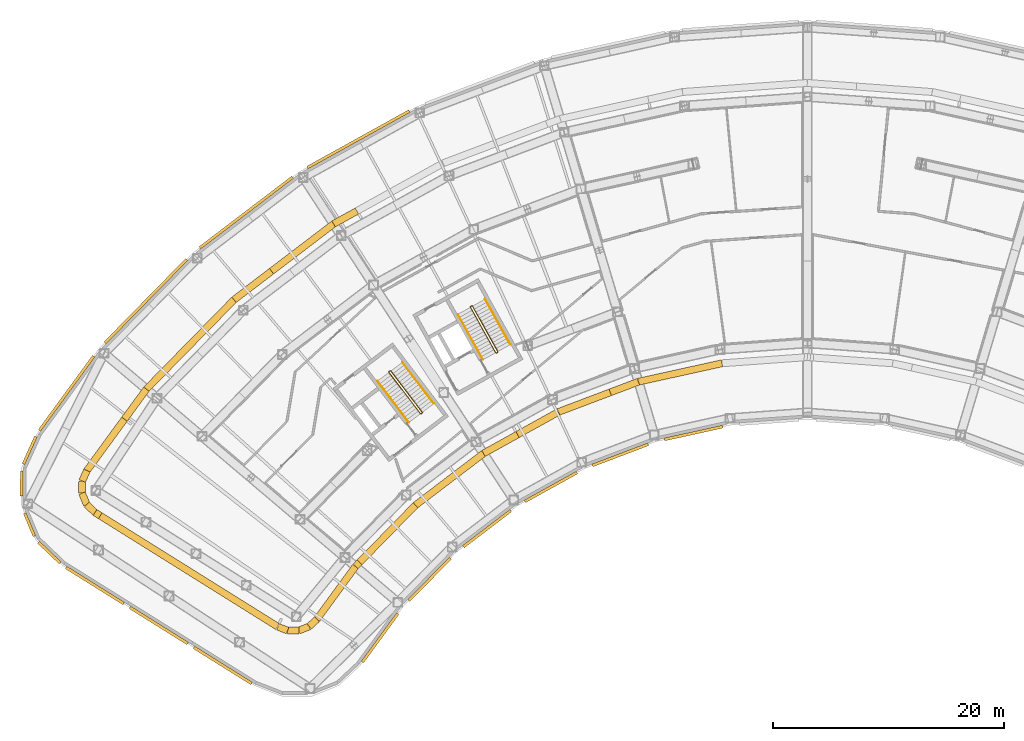
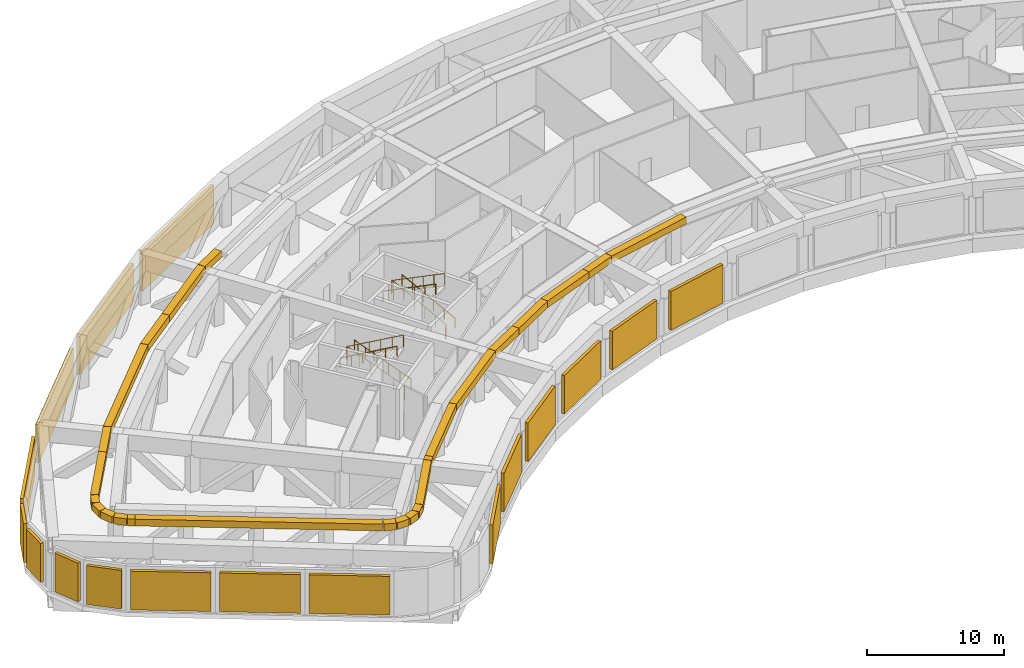
# One storey, part 27 of 30: 25 coverings, 17 shading devices, 6 railings.
"""IFC4 building model written with IfcOpenShell, lengths in metres."""

import ifcopenshell
import ifcopenshell.guid

model = None  # the IFC model being written
_history = None  # IfcOwnerHistory: only IFC2X3 demands one
_inside = {}  # id of a spatial element -> (the spatial element, [elements in it])
_under = {}  # id of a project, library or spatial element -> (it, [spatial elements below it])
_declared = {}  # id of a project -> (the project, [libraries it declares])
_typed = {}  # id of a type object -> (the type object, [elements of that type])
_made_of = {}  # id of a material, layer set ... -> (it, [elements and type objects made of it])


def new_model(schema):
    """Start an empty IFC model of exactly this schema.

    Asked for "IFC4X3", IfcOpenShell would pick the latest addendum, in which some entities
    have other attributes; the version numbers below select the first issue.
    IFC2X3 requires an IfcOwnerHistory on every rooted entity: one is made here for all.
    """
    global model, _history
    if schema == "IFC4X3":
        model = ifcopenshell.file(schema_version=(4, 3, 0, 0))
    else:
        model = ifcopenshell.file(schema=schema)
    _inside.clear()
    _under.clear()
    _declared.clear()
    _typed.clear()
    _made_of.clear()
    _history = None
    if model.schema == "IFC2X3":
        org = make("IfcOrganization", Name="unknown")
        user = make(
            "IfcPersonAndOrganization",
            ThePerson=make("IfcPerson", FamilyName="unknown"),
            TheOrganization=org,
        )
        app = make(
            "IfcApplication",
            ApplicationDeveloper=org,
            Version="unknown",
            ApplicationFullName="unknown",
            ApplicationIdentifier="unknown",
        )
        _history = make(
            "IfcOwnerHistory",
            OwningUser=user,
            OwningApplication=app,
            ChangeAction="ADDED",
            CreationDate=0,
        )
    return model


def make(cls, **values):
    """One entity of the class cls with the attributes given. An attribute that is None is left unset."""
    return model.create_entity(
        cls, **{name: value for name, value in values.items() if value is not None}
    )


def rooted(cls, **values):
    """An entity with a GlobalId (a new one), such as an element, a storey or a relation."""
    return make(cls, GlobalId=ifcopenshell.guid.new(), OwnerHistory=_history, **values)


def si_unit(unit_type, name, prefix=None):
    """IfcSIUnit, for example si_unit("LENGTHUNIT", "METRE", prefix="MILLI")."""
    return make("IfcSIUnit", UnitType=unit_type, Prefix=prefix, Name=name)


def assignment(units):
    """IfcUnitAssignment: the units of a project."""
    return None if units is None else make("IfcUnitAssignment", Units=units)


def point(xyz):
    """IfcCartesianPoint."""
    return None if xyz is None else make("IfcCartesianPoint", Coordinates=xyz)


def direction(xyz):
    """IfcDirection."""
    return None if xyz is None else make("IfcDirection", DirectionRatios=xyz)


def frame(location, z_axis=None, x_axis=None):
    """IfcAxis2Placement3D, a coordinate frame: its origin and axes. An axis left out is left unset."""
    return make(
        "IfcAxis2Placement3D",
        Location=point(location),
        Axis=direction(z_axis),
        RefDirection=direction(x_axis),
    )


def frame_2d(location, x_axis=None):
    """IfcAxis2Placement2D, a coordinate frame in the plane: its origin and x axis."""
    return make(
        "IfcAxis2Placement2D", Location=point(location), RefDirection=direction(x_axis)
    )


def origin():
    """The frame at (0, 0, 0) with its axes left unset."""
    return frame((0.0, 0.0, 0.0))


def origin_2d():
    """The frame at (0, 0) in the plane with its x axis left unset."""
    return frame_2d((0.0, 0.0))


def place(relative_to, where):
    """IfcLocalPlacement: puts the frame where relative to a parent placement (None: the world)."""
    return make(
        "IfcLocalPlacement", PlacementRelTo=relative_to, RelativePlacement=where
    )


def context(
    kind, dimensions, precision=None, world=None, true_north=None, identifier=None
):
    """IfcGeometricRepresentationContext, for example the 3D "Model" context."""
    return make(
        "IfcGeometricRepresentationContext",
        ContextIdentifier=identifier,
        ContextType=kind,
        CoordinateSpaceDimension=dimensions,
        Precision=precision,
        WorldCoordinateSystem=world,
        TrueNorth=true_north,
    )


def subcontext(parent, identifier, kind, view, scale=None):
    """IfcGeometricRepresentationSubContext, for example "Body" below "Model"."""
    return make(
        "IfcGeometricRepresentationSubContext",
        ContextIdentifier=identifier,
        ContextType=kind,
        ParentContext=parent,
        TargetScale=scale,
        TargetView=view,
    )


def project(units=None, contexts=None):
    """IfcProject with its units and contexts."""
    return rooted(
        "IfcProject",
        Name="project",
        RepresentationContexts=contexts,
        UnitsInContext=assignment(units),
    )


def spatial(cls, under=None, at=None, **own):
    """A site, building, storey or space (cls), placed at a placement, below another one or the project."""
    s = rooted(cls, ObjectPlacement=at, **own)
    if under is not None:
        _under.setdefault(under.id(), (under, []))[1].append(s)
    return s


def profile(cls, at=None, kind="AREA", **sizes):
    """A parametric profile (cls). Its sizes go by their IFC names, for example OverallWidth=200.0."""
    return make(cls, ProfileType=kind, Position=at, **sizes)


def rectangle(**sizes):
    """IfcRectangleProfileDef."""
    return profile("IfcRectangleProfileDef", **sizes)


def circle(**sizes):
    """IfcCircleProfileDef."""
    return profile("IfcCircleProfileDef", **sizes)


def extrude(swept, where, along, depth):
    """IfcExtrudedAreaSolid: the profile swept, set in the frame where, extruded along a direction by depth."""
    return make(
        "IfcExtrudedAreaSolid",
        SweptArea=swept,
        Position=where,
        ExtrudedDirection=direction(along),
        Depth=depth,
    )


def shape(context_of_items, identifier, shape_type, items):
    """IfcShapeRepresentation: the items that make up one representation, for example the "Body"."""
    return make(
        "IfcShapeRepresentation",
        ContextOfItems=context_of_items,
        RepresentationIdentifier=identifier,
        RepresentationType=shape_type,
        Items=items,
    )


def material(Name=None, Category=None):
    """IfcMaterial."""
    return make("IfcMaterial", Name=Name, Category=Category)


def material_profile(
    of_material, cross_section, Name=None, Category=None, Priority=None
):
    """IfcMaterialProfile: a cross section and its material."""
    return make(
        "IfcMaterialProfile",
        Name=Name,
        Material=of_material,
        Profile=cross_section,
        Priority=Priority,
        Category=Category,
    )


def profile_set(profiles, Name=None, composite=None):
    """IfcMaterialProfileSet."""
    return make(
        "IfcMaterialProfileSet",
        Name=Name,
        MaterialProfiles=profiles,
        CompositeProfile=composite,
    )


def made_of(thing, what):
    """Note that an element or type object is made of a material, layer set ...; save() writes the relation."""
    if what is not None:
        _made_of.setdefault(what.id(), (what, []))[1].append(thing)
    return thing


def type_object(cls, material=None, **own):
    """A type object (cls), such as IfcWallType, which elements share."""
    return made_of(rooted(cls, **own), material)


def element(
    cls,
    number,
    at=None,
    inside=None,
    cuts=None,
    type_object=None,
    material=None,
    context=None,
    identifier="Body",
    shape_type=None,
    held_by="IfcProductDefinitionShape",
    body=None,
    shapes=None,
    **own,
):
    """One element of the class cls, such as IfcWall. Its Tag is "e" and its number.

    at: its placement. inside: the storey or other place that contains it. cuts: it is an
    opening in that element (IfcRelVoidsElement). A single representation is given by context,
    identifier, shape_type and body (its items); several are given by shapes. held_by: the class
    of the entity that holds the representations. save() writes the other relations.
    """
    e = rooted(cls, Tag="e%d" % number, ObjectPlacement=at, **own)
    if body is not None:
        shapes = [shape(context, identifier, shape_type, body)]
    if shapes is not None:
        e.Representation = make(held_by, Representations=shapes)
    if inside is not None:
        _inside.setdefault(inside.id(), (inside, []))[1].append(e)
    if cuts is not None:
        rooted(
            "IfcRelVoidsElement", RelatingBuildingElement=cuts, RelatedOpeningElement=e
        )
    if type_object is not None:
        _typed.setdefault(type_object.id(), (type_object, []))[1].append(e)
    return made_of(e, material)


def aggregate(whole, parts):
    """IfcRelAggregates: a whole, such as a stair, and the parts it consists of."""
    return rooted("IfcRelAggregates", RelatingObject=whole, RelatedObjects=parts)


def save(model, path):
    """Write the relations noted so far, then the file.

    IfcRelAggregates (storeys below a building ...), IfcRelContainedInSpatialStructure (elements
    in a storey), IfcRelDefinesByType, IfcRelAssociatesMaterial and IfcRelDeclares: one each for
    every whole, place, type object, material and project.
    """
    for whole, parts in _under.values():
        aggregate(whole, parts)
    for where, things in _inside.values():
        rooted(
            "IfcRelContainedInSpatialStructure",
            RelatedElements=things,
            RelatingStructure=where,
        )
    for kind, things in _typed.values():
        rooted("IfcRelDefinesByType", RelatedObjects=things, RelatingType=kind)
    for what, things in _made_of.values():
        rooted("IfcRelAssociatesMaterial", RelatedObjects=things, RelatingMaterial=what)
    for by, libraries in _declared.values():
        rooted("IfcRelDeclares", RelatingContext=by, RelatedDefinitions=libraries)
    model.write(path)


model = new_model("IFC4")

# Units and contexts
model_context = context("Model", 3, precision=1e-05, world=origin(), true_north=direction((0.0, 1.0)))
body_context = subcontext(model_context, "Body", "Model", "MODEL_VIEW")
ifc_project = project(units=[si_unit("LENGTHUNIT", "METRE"), si_unit("AREAUNIT", "SQUARE_METRE"), si_unit("VOLUMEUNIT", "CUBIC_METRE"), si_unit("PLANEANGLEUNIT", "RADIAN"), si_unit("MASSUNIT", "GRAM", prefix="KILO")], contexts=[model_context])

# Site, building, storey
site_placement = place(None, origin())
site = spatial("IfcSite", under=ifc_project, at=site_placement, CompositionType="ELEMENT")
building_placement = place(site_placement, origin())
building = spatial("IfcBuilding", under=site, at=building_placement, Name="Tuul Gate Civic Tower", CompositionType="ELEMENT")
storey_placement = place(building_placement, frame((0.0, 0.0, 26.699951171875)))
storey = spatial("IfcBuildingStorey", under=building, at=storey_placement, Name="Plant and refuge floor 1", CompositionType="ELEMENT", Elevation=26.699951171875)

# Shading devices
ifc_material_1 = material(Name="Aluminium louvre", Category="aluminium")
shading_device_type = type_object("IfcShadingDeviceType", Name="Louvre panel", PredefinedType="USERDEFINED", material=ifc_material_1)
for number, where, z_axis, x_axis, name in (
    (1, (-38.920654296875, 10.21484375, 0.30029296875), (0.0, 0.0, 1.0), (-0.484772548087, 0.874640255546, 0.0), "Louvre panel"),
    (2, (-48.63330078125, 3.873046875, 0.30029296875), (0.0, 0.0, 1.0), (-0.605812275607, 0.795607621082, 0.0), "Louvre panel"),
    (3, (-57.330322265625, -3.802490234375, 0.30029296875), (0.0, 0.0, 1.0), (-0.714133617381, 0.700009411741, 0.0), "Louvre panel"),
):
    element("IfcShadingDevice", number, at=place(storey_placement, frame(where, z_axis=z_axis, x_axis=x_axis)), inside=storey, type_object=shading_device_type, Name=name, ObjectType="LOUVRE", PredefinedType="USERDEFINED", context=body_context, shape_type="SweptSolid", body=[
        extrude(rectangle(XDim=0.25, YDim=10.10009765625, at=origin_2d()), origin(), (0.0, 0.0, 1.0), 3.449951171875),
    ])
shading_device_1_placement = place(storey_placement, frame((-64.2041015625, -11.79296875, 0.30029296875), z_axis=(0.0, 0.0, 1.0), x_axis=(-0.807504635584, 0.589861223943, 0.0)))
element("IfcShadingDevice", 4, at=shading_device_1_placement, inside=storey, type_object=shading_device_type, Name="Louvre panel", ObjectType="LOUVRE", PredefinedType="USERDEFINED", context=body_context, shape_type="SweptSolid", body=[
    extrude(rectangle(XDim=0.25, YDim=7.949951171875, at=origin_2d()), origin(), (0.0, 0.0, 1.0), 3.449951171875),
])
shading_device_2_placement = place(storey_placement, frame((-67.410400390625, -16.740966796875, 0.30029296875), z_axis=(0.0, 0.0, 1.0), x_axis=(-0.910943109135, 0.412532001086, 0.0)))
element("IfcShadingDevice", 5, at=shading_device_2_placement, inside=storey, type_object=shading_device_type, Name="Louvre panel", ObjectType="LOUVRE", PredefinedType="USERDEFINED", context=body_context, shape_type="SweptSolid", body=[
    extrude(rectangle(XDim=0.25, YDim=2.60009765625, at=origin_2d()), origin(), (0.0, 0.0, 1.0), 3.449951171875),
])
for number, where, z_axis, x_axis, name in (
    (6, (-68.102294921875, -19.625244140625, 0.30029296875), (0.0, 0.0, 1.0), (-0.999892290777, 0.014676745048, 0.0), "Louvre panel"),
    (7, (-67.4150390625, -23.185791015625, 0.30029296875), (0.0, 0.0, 1.0), (-0.92261423474, -0.385723960696, 0.0), "Louvre panel"),
):
    element("IfcShadingDevice", number, at=place(storey_placement, frame(where, z_axis=z_axis, x_axis=x_axis)), inside=storey, type_object=shading_device_type, Name=name, ObjectType="LOUVRE", PredefinedType="USERDEFINED", context=body_context, shape_type="SweptSolid", body=[
        extrude(rectangle(XDim=0.25, YDim=2.14990234375, at=origin_2d()), origin(), (0.0, 0.0, 1.0), 3.449951171875),
    ])
shading_device_3_placement = place(storey_placement, frame((-65.698974609375, -25.604248046875, 0.30029296875), z_axis=(0.0, 0.0, 1.0), x_axis=(-0.69147788564, -0.722397628506, 0.0)))
element("IfcShadingDevice", 8, at=shading_device_3_placement, inside=storey, type_object=shading_device_type, Name="Louvre panel", ObjectType="LOUVRE", PredefinedType="USERDEFINED", context=body_context, shape_type="SweptSolid", body=[
    extrude(rectangle(XDim=0.25, YDim=2.60009765625, at=origin_2d()), origin(), (0.0, 0.0, 1.0), 3.449951171875),
])
for number, where, z_axis, x_axis, name in (
    (9, (-61.753662109375, -28.457275390625, 0.30029296875), (0.0, 0.0, 1.0), (-0.529943874358, -0.848032717547, 0.0), "Louvre panel"),
    (10, (-56.21630859375, -31.91748046875, 0.30029296875), (0.0, 0.0, 1.0), (-0.529943874358, -0.848032717547, 0.0), "Louvre panel"),
    (11, (-50.678955078125, -35.3779296875, 0.30029296875), (0.0, 0.0, 1.0), (-0.529943874358, -0.848032717547, 0.0), "Louvre panel"),
):
    element("IfcShadingDevice", number, at=place(storey_placement, frame(where, z_axis=z_axis, x_axis=x_axis)), inside=storey, type_object=shading_device_type, Name=name, ObjectType="LOUVRE", PredefinedType="USERDEFINED", context=body_context, shape_type="SweptSolid", body=[
        extrude(rectangle(XDim=0.25, YDim=5.89990234375, at=origin_2d()), origin(), (0.0, 0.0, 1.0), 3.449951171875),
    ])
shading_device_4_placement = place(storey_placement, frame((-37.0263671875, -32.990966796875, 0.30029296875), z_axis=(0.0, 0.0, 1.0), x_axis=(0.807581267597, -0.589756302404, 0.0)))
element("IfcShadingDevice", 12, at=shading_device_4_placement, inside=storey, type_object=shading_device_type, Name="Louvre panel", ObjectType="LOUVRE", PredefinedType="USERDEFINED", context=body_context, shape_type="SweptSolid", body=[
    extrude(rectangle(XDim=0.25, YDim=5.199951171875, at=origin_2d()), origin(), (0.0, 0.0, 1.0), 3.449951171875),
])
for number, where, z_axis, x_axis, name in (
    (13, (-32.728759765625, -27.91748046875, 0.30029296875), (0.0, 0.0, 1.0), (0.714131733701, -0.700011333423, 0.0), "Louvre panel"),
    (14, (-27.763671875, -23.535888671875, 0.30029296875), (0.0, 0.0, 1.0), (0.605776174218, -0.795635109048, 0.0), "Louvre panel"),
    (15, (-22.218994140625, -19.915771484375, 0.30029296875), (0.0, 0.0, 1.0), (0.484724404523, -0.87466693756, 0.0), "Louvre panel"),
    (16, (-16.210205078125, -17.13232421875, 0.30029296875), (0.0, 0.0, 1.0), (0.353739389433, -0.935344024605, 0.0), "Louvre panel"),
    (17, (-9.863525390625, -15.24365234375, 0.30029296875), (0.0, 0.0, 1.0), (0.215260087551, -0.976556754473, 0.0), "Louvre panel"),
):
    element("IfcShadingDevice", number, at=place(storey_placement, frame(where, z_axis=z_axis, x_axis=x_axis)), inside=storey, type_object=shading_device_type, Name=name, ObjectType="LOUVRE", PredefinedType="USERDEFINED", context=body_context, shape_type="SweptSolid", body=[
        extrude(rectangle(XDim=0.25, YDim=5.14990234375, at=origin_2d()), origin(), (0.0, 0.0, 1.0), 3.449951171875),
    ])

# Railings
ifc_material_2 = material(Name="Painted steel", Category="steel")
railing_type_1 = type_object("IfcRailingType", Name="Stair guard", PredefinedType="GUARDRAIL", material=ifc_material_2)
railing_1_placement = place(storey_placement, frame((-33.382080078125, -13.515380859375, 0.0)))
element("IfcRailing", 18, at=railing_1_placement, inside=storey, type_object=railing_type_1, Name="Plant and refuge floor 1 ST-1 stair guard 1", PredefinedType="GUARDRAIL", context=body_context, shape_type="SweptSolid", body=[
    extrude(circle(Radius=0.02392578125, at=origin_2d()), frame((0.0, 0.0, 1.076171875), z_axis=(-0.795879841968, -0.605454603706, 0.0), x_axis=(0.605454603706, -0.795879841968, 0.0)), (0.0, 0.0, 1.0), 0.10009765625),
    extrude(circle(Radius=0.02392578125, at=origin_2d()), frame((-0.07958984375, -0.060546875, 1.076171875), z_axis=(0.408676696321, 0.599019267211, 0.688592241747), x_axis=(-0.826063974707, 0.563576356576, 0.0)), (0.0, 0.0, 1.0), 0.218017578125),
    extrude(circle(Radius=0.02392578125, at=origin_2d()), frame((0.009521484375, 0.070068359375, 1.22607421875), z_axis=(-0.541802573537, 0.711646640476, 0.44722369169), x_axis=(-0.795649622695, -0.605757111312, 0.0)), (0.0, 0.0, 1.0), 5.031005859375),
    extrude(circle(Radius=0.02392578125, at=origin_2d()), frame((-2.71630859375, 3.650390625, 3.47607421875), z_axis=(-0.990893089246, 0.134650977284, 0.0), x_axis=(-0.134650977284, -0.990893089246, 0.0)), (0.0, 0.0, 1.0), 0.07080078125),
    extrude(circle(Radius=0.02392578125, at=origin_2d()), frame((-2.786376953125, 3.659912109375, 3.47607421875), z_axis=(-0.795879841968, -0.605454603706, 0.0), x_axis=(0.605454603706, -0.795879841968, 0.0)), (0.0, 0.0, 1.0), 0.10009765625),
    extrude(circle(Radius=0.02392578125, at=origin_2d()), frame((-2.865966796875, 3.599365234375, 3.47607421875), z_axis=(-0.057447065493, -0.422751481959, 0.904423031091), x_axis=(0.990893089246, -0.134650977284, 0.0)), (0.0, 0.0, 1.0), 0.165771484375),
    extrude(circle(Radius=0.02392578125, at=origin_2d()), frame((-2.87548828125, 3.529296875, 3.6259765625), z_axis=(0.541802573537, -0.711646640476, 0.44722369169), x_axis=(0.795649622695, 0.605757111312, 0.0)), (0.0, 0.0, 1.0), 5.031005859375),
    extrude(circle(Radius=0.02099609375, at=origin_2d()), origin(), (0.0, 0.0, 1.0), 1.052001953125),
    extrude(circle(Radius=0.02099609375, at=origin_2d()), frame((-0.07958984375, -0.060546875, 0.0)), (0.0, 0.0, 1.0), 1.052001953125),
    extrude(circle(Radius=0.02099609375, at=origin_2d()), frame((0.009521484375, 0.070068359375, 0.150146484375)), (0.0, 0.0, 1.0), 1.052001953125),
    extrude(circle(Radius=0.02099609375, at=origin_2d()), frame((-0.53564453125, 0.7861328125, 0.60009765625)), (0.0, 0.0, 1.0), 1.052001953125),
    extrude(circle(Radius=0.02099609375, at=origin_2d()), frame((-1.080810546875, 1.502197265625, 1.050048828125)), (0.0, 0.0, 1.0), 1.052001953125),
    extrude(circle(Radius=0.02099609375, at=origin_2d()), frame((-1.6259765625, 2.21826171875, 1.500244140625)), (0.0, 0.0, 1.0), 1.052001953125),
    extrude(circle(Radius=0.02099609375, at=origin_2d()), frame((-2.171142578125, 2.934326171875, 1.9501953125)), (0.0, 0.0, 1.0), 1.052001953125),
    extrude(circle(Radius=0.02099609375, at=origin_2d()), frame((-2.71630859375, 3.650390625, 2.400146484375)), (0.0, 0.0, 1.0), 1.052001953125),
    extrude(circle(Radius=0.02099609375, at=origin_2d()), frame((-2.786376953125, 3.659912109375, 2.400146484375)), (0.0, 0.0, 1.0), 1.052001953125),
    extrude(circle(Radius=0.02099609375, at=origin_2d()), frame((-2.865966796875, 3.599365234375, 2.400146484375)), (0.0, 0.0, 1.0), 1.052001953125),
    extrude(circle(Radius=0.02099609375, at=origin_2d()), frame((-2.87548828125, 3.529296875, 2.550048828125)), (0.0, 0.0, 1.0), 1.052001953125),
    extrude(circle(Radius=0.02099609375, at=origin_2d()), frame((-2.330322265625, 2.813232421875, 3.0)), (0.0, 0.0, 1.0), 1.052001953125),
    extrude(circle(Radius=0.02099609375, at=origin_2d()), frame((-1.78515625, 2.09716796875, 3.449951171875)), (0.0, 0.0, 1.0), 1.052001953125),
    extrude(circle(Radius=0.02099609375, at=origin_2d()), frame((-1.239990234375, 1.381103515625, 3.900146484375)), (0.0, 0.0, 1.0), 1.052001953125),
    extrude(circle(Radius=0.02099609375, at=origin_2d()), frame((-0.69482421875, 0.6650390625, 4.35009765625)), (0.0, 0.0, 1.0), 1.052001953125),
    extrude(circle(Radius=0.02099609375, at=origin_2d()), frame((-0.149658203125, -0.051025390625, 4.800048828125)), (0.0, 0.0, 1.0), 1.052001953125),
])
railing_2_placement = place(storey_placement, frame((-26.857666015625, -8.247314453125, 0.0)))
element("IfcRailing", 19, at=railing_2_placement, inside=storey, type_object=railing_type_1, Name="Plant and refuge floor 1 ST-2 stair guard 1", PredefinedType="GUARDRAIL", context=body_context, shape_type="SweptSolid", body=[
    extrude(circle(Radius=0.02392578125, at=origin_2d()), frame((0.0, 0.0, 1.076171875), z_axis=(-0.874616555828, -0.48481530532, 0.0), x_axis=(0.48481530532, -0.874616555828, 0.0)), (0.0, 0.0, 1.0), 0.10009765625),
    extrude(circle(Radius=0.02392578125, at=origin_2d()), frame((-0.087646484375, -0.048583984375, 1.076171875), z_axis=(0.490435707169, 0.534104639999, 0.688625479244), x_axis=(-0.736576986774, 0.676353711126, 0.0)), (0.0, 0.0, 1.0), 0.218017578125),
    extrude(circle(Radius=0.02392578125, at=origin_2d()), frame((0.019287109375, 0.06787109375, 1.22607421875), z_axis=(-0.433570456934, 0.782319295656, 0.447205968786), x_axis=(-0.874655833576, -0.484744440702, 0.0)), (0.0, 0.0, 1.0), 5.03125),
    extrude(circle(Radius=0.02392578125, at=origin_2d()), frame((-2.162109375, 4.00390625, 3.47607421875), z_axis=(-0.961914682459, 0.273349855807, 0.0), x_axis=(-0.273349855807, -0.961914682459, 0.0)), (0.0, 0.0, 1.0), 0.070556640625),
    extrude(circle(Radius=0.02392578125, at=origin_2d()), frame((-2.22998046875, 4.023193359375, 3.47607421875), z_axis=(-0.875078096442, -0.48398174049, 0.0), x_axis=(0.48398174049, -0.875078096442, 0.0)), (0.0, 0.0, 1.0), 0.099853515625),
    extrude(circle(Radius=0.02392578125, at=origin_2d()), frame((-2.3173828125, 3.974853515625, 3.47607421875), z_axis=(-0.117795287813, -0.410811066247, 0.904078833962), x_axis=(0.961263487578, -0.275631107549, 0.0)), (0.0, 0.0, 1.0), 0.165771484375),
    extrude(circle(Radius=0.02392578125, at=origin_2d()), frame((-2.3369140625, 3.90673828125, 3.6259765625), z_axis=(0.433586916566, -0.782300468042, 0.447222946062), x_axis=(0.874643084613, 0.48476744377, 0.0)), (0.0, 0.0, 1.0), 5.031005859375),
    extrude(circle(Radius=0.02099609375, at=origin_2d()), origin(), (0.0, 0.0, 1.0), 1.052001953125),
    extrude(circle(Radius=0.02099609375, at=origin_2d()), frame((-0.087646484375, -0.048583984375, 0.0)), (0.0, 0.0, 1.0), 1.052001953125),
    extrude(circle(Radius=0.02099609375, at=origin_2d()), frame((0.019287109375, 0.06787109375, 0.150146484375)), (0.0, 0.0, 1.0), 1.052001953125),
    extrude(circle(Radius=0.02099609375, at=origin_2d()), frame((-0.4169921875, 0.85498046875, 0.60009765625)), (0.0, 0.0, 1.0), 1.052001953125),
    extrude(circle(Radius=0.02099609375, at=origin_2d()), frame((-0.853271484375, 1.642333984375, 1.050048828125)), (0.0, 0.0, 1.0), 1.052001953125),
    extrude(circle(Radius=0.02099609375, at=origin_2d()), frame((-1.28955078125, 2.429443359375, 1.500244140625)), (0.0, 0.0, 1.0), 1.052001953125),
    extrude(circle(Radius=0.02099609375, at=origin_2d()), frame((-1.725830078125, 3.216796875, 1.9501953125)), (0.0, 0.0, 1.0), 1.052001953125),
    extrude(circle(Radius=0.02099609375, at=origin_2d()), frame((-2.162109375, 4.00390625, 2.400146484375)), (0.0, 0.0, 1.0), 1.052001953125),
    extrude(circle(Radius=0.02099609375, at=origin_2d()), frame((-2.22998046875, 4.023193359375, 2.400146484375)), (0.0, 0.0, 1.0), 1.052001953125),
    extrude(circle(Radius=0.02099609375, at=origin_2d()), frame((-2.3173828125, 3.974853515625, 2.400146484375)), (0.0, 0.0, 1.0), 1.052001953125),
    extrude(circle(Radius=0.02099609375, at=origin_2d()), frame((-2.3369140625, 3.90673828125, 2.550048828125)), (0.0, 0.0, 1.0), 1.052001953125),
    extrude(circle(Radius=0.02099609375, at=origin_2d()), frame((-1.900634765625, 3.11962890625, 3.0)), (0.0, 0.0, 1.0), 1.052001953125),
    extrude(circle(Radius=0.02099609375, at=origin_2d()), frame((-1.46435546875, 2.33251953125, 3.449951171875)), (0.0, 0.0, 1.0), 1.052001953125),
    extrude(circle(Radius=0.02099609375, at=origin_2d()), frame((-1.028076171875, 1.545166015625, 3.900146484375)), (0.0, 0.0, 1.0), 1.052001953125),
    extrude(circle(Radius=0.02099609375, at=origin_2d()), frame((-0.591796875, 0.758056640625, 4.35009765625)), (0.0, 0.0, 1.0), 1.052001953125),
    extrude(circle(Radius=0.02099609375, at=origin_2d()), frame((-0.155517578125, -0.029052734375, 4.800048828125)), (0.0, 0.0, 1.0), 1.052001953125),
])
ifc_material_3 = material(Name="Painted steel", Category="steel")
railing_type_2 = type_object("IfcRailingType", Name="Stair handrail", PredefinedType="HANDRAIL", material=ifc_material_3)
railing_3_placement = place(storey_placement, frame((-32.3779296875, -12.688232421875, 0.150146484375)))
element("IfcRailing", 20, at=railing_3_placement, inside=storey, type_object=railing_type_2, Name="Plant and refuge floor 1 ST-1 stair handrail 1", PredefinedType="HANDRAIL", context=body_context, shape_type="SweptSolid", body=[
    extrude(circle(Radius=0.02392578125, at=origin_2d()), frame((0.0, 0.0, 0.8759765625), z_axis=(-0.541818143522, 0.711651880073, 0.447196490301), x_axis=(-0.795643382243, -0.605765307931, 0.0)), (0.0, 0.0, 1.0), 5.03125),
    extrude(circle(Radius=0.02099609375, at=origin_2d()), origin(), (0.0, 0.0, 1.0), 0.851806640625),
    extrude(circle(Radius=0.02099609375, at=origin_2d()), frame((-0.545166015625, 0.716064453125, 0.449951171875)), (0.0, 0.0, 1.0), 0.851806640625),
    extrude(circle(Radius=0.02099609375, at=origin_2d()), frame((-1.09033203125, 1.43212890625, 0.89990234375)), (0.0, 0.0, 1.0), 0.851806640625),
    extrude(circle(Radius=0.02099609375, at=origin_2d()), frame((-1.6357421875, 2.1484375, 1.35009765625)), (0.0, 0.0, 1.0), 0.851806640625),
    extrude(circle(Radius=0.02099609375, at=origin_2d()), frame((-2.180908203125, 2.864501953125, 1.800048828125)), (0.0, 0.0, 1.0), 0.851806640625),
    extrude(circle(Radius=0.02099609375, at=origin_2d()), frame((-2.72607421875, 3.58056640625, 2.25)), (0.0, 0.0, 1.0), 0.851806640625),
])
railing_4_placement = place(storey_placement, frame((-37.252197265625, -10.743408203125, 2.550048828125)))
element("IfcRailing", 21, at=railing_4_placement, inside=storey, type_object=railing_type_2, Name="Plant and refuge floor 1 ST-1 stair handrail 2", PredefinedType="HANDRAIL", context=body_context, shape_type="SweptSolid", body=[
    extrude(circle(Radius=0.02392578125, at=origin_2d()), frame((0.0, 0.0, 0.8759765625), z_axis=(0.541836853995, -0.711627929772, 0.447211933227), x_axis=(0.795623473507, 0.6057914562, 0.0)), (0.0, 0.0, 1.0), 5.03125),
    extrude(circle(Radius=0.02099609375, at=origin_2d()), origin(), (0.0, 0.0, 1.0), 0.851806640625),
    extrude(circle(Radius=0.02099609375, at=origin_2d()), frame((0.545166015625, -0.716064453125, 0.449951171875)), (0.0, 0.0, 1.0), 0.851806640625),
    extrude(circle(Radius=0.02099609375, at=origin_2d()), frame((1.09033203125, -1.43212890625, 0.89990234375)), (0.0, 0.0, 1.0), 0.851806640625),
    extrude(circle(Radius=0.02099609375, at=origin_2d()), frame((1.6357421875, -2.148193359375, 1.35009765625)), (0.0, 0.0, 1.0), 0.851806640625),
    extrude(circle(Radius=0.02099609375, at=origin_2d()), frame((2.180908203125, -2.8642578125, 1.800048828125)), (0.0, 0.0, 1.0), 0.851806640625),
    extrude(circle(Radius=0.02099609375, at=origin_2d()), frame((2.72607421875, -3.580322265625, 2.25)), (0.0, 0.0, 1.0), 0.851806640625),
])
railing_5_placement = place(storey_placement, frame((-25.744873046875, -7.573486328125, 0.150146484375)))
element("IfcRailing", 22, at=railing_5_placement, inside=storey, type_object=railing_type_2, Name="Plant and refuge floor 1 ST-2 stair handrail 1", PredefinedType="HANDRAIL", context=body_context, shape_type="SweptSolid", body=[
    extrude(circle(Radius=0.02392578125, at=origin_2d()), frame((0.0, 0.0, 0.8759765625), z_axis=(-0.433570456934, 0.782319295656, 0.447205968786), x_axis=(-0.874655833576, -0.484744440702, 0.0)), (0.0, 0.0, 1.0), 5.03125),
    extrude(circle(Radius=0.02099609375, at=origin_2d()), origin(), (0.0, 0.0, 1.0), 0.851806640625),
    extrude(circle(Radius=0.02099609375, at=origin_2d()), frame((-0.436279296875, 0.787109375, 0.449951171875)), (0.0, 0.0, 1.0), 0.851806640625),
    extrude(circle(Radius=0.02099609375, at=origin_2d()), frame((-0.87255859375, 1.574462890625, 0.89990234375)), (0.0, 0.0, 1.0), 0.851806640625),
    extrude(circle(Radius=0.02099609375, at=origin_2d()), frame((-1.308837890625, 2.361572265625, 1.35009765625)), (0.0, 0.0, 1.0), 0.851806640625),
    extrude(circle(Radius=0.02099609375, at=origin_2d()), frame((-1.7451171875, 3.14892578125, 1.800048828125)), (0.0, 0.0, 1.0), 0.851806640625),
    extrude(circle(Radius=0.02099609375, at=origin_2d()), frame((-2.181396484375, 3.93603515625, 2.25)), (0.0, 0.0, 1.0), 0.851806640625),
])
railing_6_placement = place(storey_placement, frame((-30.287841796875, -4.946533203125, 2.550048828125)))
element("IfcRailing", 23, at=railing_6_placement, inside=storey, type_object=railing_type_2, Name="Plant and refuge floor 1 ST-2 stair handrail 2", PredefinedType="HANDRAIL", context=body_context, shape_type="SweptSolid", body=[
    extrude(circle(Radius=0.02392578125, at=origin_2d()), frame((0.0, 0.0, 0.8759765625), z_axis=(0.433586916566, -0.782300468042, 0.447222946062), x_axis=(0.874643084613, 0.48476744377, 0.0)), (0.0, 0.0, 1.0), 5.031005859375),
    extrude(circle(Radius=0.02099609375, at=origin_2d()), origin(), (0.0, 0.0, 1.0), 0.851806640625),
    extrude(circle(Radius=0.02099609375, at=origin_2d()), frame((0.436279296875, -0.787109375, 0.449951171875)), (0.0, 0.0, 1.0), 0.851806640625),
    extrude(circle(Radius=0.02099609375, at=origin_2d()), frame((0.87255859375, -1.57421875, 0.89990234375)), (0.0, 0.0, 1.0), 0.851806640625),
    extrude(circle(Radius=0.02099609375, at=origin_2d()), frame((1.308837890625, -2.361572265625, 1.35009765625)), (0.0, 0.0, 1.0), 0.851806640625),
    extrude(circle(Radius=0.02099609375, at=origin_2d()), frame((1.7451171875, -3.148681640625, 1.800048828125)), (0.0, 0.0, 1.0), 0.851806640625),
    extrude(circle(Radius=0.02099609375, at=origin_2d()), frame((2.181396484375, -3.935791015625, 2.25)), (0.0, 0.0, 1.0), 0.851806640625),
])

# Coverings
ifc_material_4 = material(Name="Terracotta baguette", Category="masonry")
ifc_material_profile = material_profile(ifc_material_4, rectangle(XDim=0.60009765625, YDim=0.60009765625, at=origin_2d()), Name="Terracotta baguette screen frame")
ifc_profile_set = profile_set([ifc_material_profile], Name="Terracotta baguette")
covering_type = type_object("IfcCoveringType", Name="Terracotta baguette screen frame", PredefinedType="CLADDING", material=ifc_profile_set)
covering_1_placement = place(storey_placement, frame((-39.040283203125, 4.003173828125, 4.449951171875), z_axis=(-0.874610686965, -0.484825892714, 0.0), x_axis=(0.484825892714, -0.874610686965, 0.0)))
element("IfcCovering", 24, at=covering_1_placement, inside=storey, type_object=covering_type, Name="Baguette 105", PredefinedType="CLADDING", context=body_context, shape_type="SweptSolid", body=[
    extrude(rectangle(XDim=0.60009765625, YDim=0.60009765625, at=origin_2d()), origin(), (0.0, 0.0, 1.0), 2.309326171875),
])
covering_2_placement = place(storey_placement, frame((-41.06005859375, 2.883544921875, 4.449951171875), z_axis=(-0.795625580524, -0.605788688914, 0.0), x_axis=(0.605788688914, -0.795625580524, 0.0)))
element("IfcCovering", 25, at=covering_2_placement, inside=storey, type_object=covering_type, Name="Baguette 106", PredefinedType="CLADDING", context=body_context, shape_type="SweptSolid", body=[
    extrude(rectangle(XDim=0.60009765625, YDim=0.60009765625, at=origin_2d()), origin(), (0.0, 0.0, 1.0), 6.763427734375),
])
covering_3_placement = place(storey_placement, frame((-59.189697265625, -14.04150390625, 4.449951171875), z_axis=(-0.589840017423, -0.80752012597, 0.0), x_axis=(0.80752012597, -0.589840017423, 0.0)))
element("IfcCovering", 26, at=covering_3_placement, inside=storey, type_object=covering_type, Name="Baguette 129", PredefinedType="CLADDING", context=body_context, shape_type="SweptSolid", body=[
    extrude(rectangle(XDim=0.60009765625, YDim=0.60009765625, at=origin_2d()), origin(), (0.0, 0.0, 1.0), 5.512451171875),
])
covering_4_placement = place(storey_placement, frame((-62.441162109375, -18.492919921875, 4.449951171875), z_axis=(-0.412928742672, -0.910763335601, 0.0), x_axis=(0.910763335601, -0.412928742672, 0.0)))
element("IfcCovering", 27, at=covering_4_placement, inside=storey, type_object=covering_type, Name="Baguette 130", PredefinedType="CLADDING", context=body_context, shape_type="SweptSolid", body=[
    extrude(rectangle(XDim=0.60009765625, YDim=0.60009765625, at=origin_2d()), origin(), (0.0, 0.0, 1.0), 0.9892578125),
])
covering_5_placement = place(storey_placement, frame((-62.849609375, -19.393798828125, 4.449951171875), z_axis=(-0.014650442147, -0.999892676513, 0.0), x_axis=(0.999892676513, -0.014650442147, 0.0)))
element("IfcCovering", 28, at=covering_5_placement, inside=storey, type_object=covering_type, Name="Baguette 131", PredefinedType="CLADDING", context=body_context, shape_type="SweptSolid", body=[
    extrude(rectangle(XDim=0.60009765625, YDim=0.60009765625, at=origin_2d()), origin(), (0.0, 0.0, 1.0), 1.06640625),
])
covering_6_placement = place(storey_placement, frame((-62.865234375, -20.460205078125, 4.449951171875), z_axis=(0.385784883999, -0.922588761734, 0.0), x_axis=(0.922588761734, 0.385784883999, 0.0)))
element("IfcCovering", 29, at=covering_6_placement, inside=storey, type_object=covering_type, Name="Baguette 132", PredefinedType="CLADDING", context=body_context, shape_type="SweptSolid", body=[
    extrude(rectangle(XDim=0.60009765625, YDim=0.60009765625, at=origin_2d()), origin(), (0.0, 0.0, 1.0), 1.06689453125),
])
covering_7_placement = place(storey_placement, frame((-62.45361328125, -21.444580078125, 4.449951171875), z_axis=(0.722137314744, -0.691749737011, 0.0), x_axis=(0.691749737011, 0.722137314744, 0.0)))
element("IfcCovering", 30, at=covering_7_placement, inside=storey, type_object=covering_type, Name="Baguette 133", PredefinedType="CLADDING", context=body_context, shape_type="SweptSolid", body=[
    extrude(rectangle(XDim=0.60009765625, YDim=0.60009765625, at=origin_2d()), origin(), (0.0, 0.0, 1.0), 0.98828125),
])
covering_8_placement = place(storey_placement, frame((-61.739990234375, -22.128173828125, 4.449951171875), z_axis=(0.848100314171, -0.529835688778, 0.0), x_axis=(0.529835688778, 0.848100314171, 0.0)))
element("IfcCovering", 31, at=covering_8_placement, inside=storey, type_object=covering_type, Name="Baguette 134", PredefinedType="CLADDING", context=body_context, shape_type="SweptSolid", body=[
    extrude(rectangle(XDim=0.60009765625, YDim=0.60009765625, at=origin_2d()), origin(), (0.0, 0.0, 1.0), 0.537841796875),
])
covering_9_placement = place(storey_placement, frame((-45.884765625, -32.035400390625, 4.449951171875), z_axis=(0.93189278144, -0.362733847194, 0.0), x_axis=(0.362733847194, 0.93189278144, 0.0)))
element("IfcCovering", 32, at=covering_9_placement, inside=storey, type_object=covering_type, Name="Baguette 158", PredefinedType="CLADDING", context=body_context, shape_type="SweptSolid", body=[
    extrude(rectangle(XDim=0.60009765625, YDim=0.60009765625, at=origin_2d()), origin(), (0.0, 0.0, 1.0), 0.901123046875),
])
covering_10_placement = place(storey_placement, frame((-45.044921875, -32.3623046875, 4.449951171875), z_axis=(0.999996192163, 0.002759648297, 0.0), x_axis=(-0.002759648297, 0.999996192163, 0.0)))
element("IfcCovering", 33, at=covering_10_placement, inside=storey, type_object=covering_type, Name="Baguette 159", PredefinedType="CLADDING", context=body_context, shape_type="SweptSolid", body=[
    extrude(rectangle(XDim=0.60009765625, YDim=0.60009765625, at=origin_2d()), origin(), (0.0, 0.0, 1.0), 0.97314453125),
])
covering_11_placement = place(storey_placement, frame((-44.07177734375, -32.359619140625, 4.449951171875), z_axis=(0.929647485715, 0.36845020329, 0.0), x_axis=(-0.36845020329, 0.929647485715, 0.0)))
element("IfcCovering", 34, at=covering_11_placement, inside=storey, type_object=covering_type, Name="Baguette 160", PredefinedType="CLADDING", context=body_context, shape_type="SweptSolid", body=[
    extrude(rectangle(XDim=0.60009765625, YDim=0.60009765625, at=origin_2d()), origin(), (0.0, 0.0, 1.0), 0.97412109375),
])
covering_12_placement = place(storey_placement, frame((-43.166259765625, -32.000732421875, 4.449951171875), z_axis=(0.730001285686, 0.683445771731, 0.0), x_axis=(-0.683445771731, 0.730001285686, 0.0)))
element("IfcCovering", 35, at=covering_12_placement, inside=storey, type_object=covering_type, Name="Baguette 161", PredefinedType="CLADDING", context=body_context, shape_type="SweptSolid", body=[
    extrude(rectangle(XDim=0.60009765625, YDim=0.60009765625, at=origin_2d()), origin(), (0.0, 0.0, 1.0), 0.902099609375),
])
covering_13_placement = place(storey_placement, frame((-42.5078125, -31.38427734375, 4.449951171875), z_axis=(0.589729447422, 0.807600878432, 0.0), x_axis=(-0.807600878432, 0.589729447422, 0.0)))
element("IfcCovering", 36, at=covering_13_placement, inside=storey, type_object=covering_type, Name="Baguette 162", PredefinedType="CLADDING", context=body_context, shape_type="SweptSolid", body=[
    extrude(rectangle(XDim=0.60009765625, YDim=0.60009765625, at=origin_2d()), origin(), (0.0, 0.0, 1.0), 5.671142578125),
])
covering_14_placement = place(storey_placement, frame((-39.163330078125, -26.80419921875, 4.449951171875), z_axis=(0.700143080351, 0.714002567948, 0.0), x_axis=(-0.714002567948, 0.700143080351, 0.0)))
element("IfcCovering", 37, at=covering_14_placement, inside=storey, type_object=covering_type, Name="Baguette 163", PredefinedType="CLADDING", context=body_context, shape_type="SweptSolid", body=[
    extrude(rectangle(XDim=0.60009765625, YDim=0.60009765625, at=origin_2d()), origin(), (0.0, 0.0, 1.0), 0.5107421875),
])
covering_15_placement = place(storey_placement, frame((-25.11376953125, -15.37451171875, 4.449951171875), z_axis=(0.874630119213, 0.484790835893, 0.0), x_axis=(-0.484790835893, 0.874630119213, 0.0)))
element("IfcCovering", 38, at=covering_15_placement, inside=storey, type_object=covering_type, Name="Baguette 194", PredefinedType="CLADDING", context=body_context, shape_type="SweptSolid", body=[
    extrude(rectangle(XDim=0.60009765625, YDim=0.60009765625, at=origin_2d()), origin(), (0.0, 0.0, 1.0), 4.039306640625),
])
covering_16_placement = place(storey_placement, frame((-21.580810546875, -13.416259765625, 4.449951171875), z_axis=(0.935362476844, 0.353690594889, 0.0), x_axis=(-0.353690594889, 0.935362476844, 0.0)))
element("IfcCovering", 39, at=covering_16_placement, inside=storey, type_object=covering_type, Name="Baguette 195", PredefinedType="CLADDING", context=body_context, shape_type="SweptSolid", body=[
    extrude(rectangle(XDim=0.60009765625, YDim=0.60009765625, at=origin_2d()), origin(), (0.0, 0.0, 1.0), 4.8125),
])
covering_17_placement = place(storey_placement, frame((-46.441162109375, -1.213623046875, 4.449951171875), z_axis=(-0.795607166206, -0.605812872991, 0.0), x_axis=(0.605812872991, -0.795607166206, 0.0)))
element("IfcCovering", 40, at=covering_17_placement, inside=storey, type_object=covering_type, Name="Baguette 391", PredefinedType="CLADDING", context=body_context, shape_type="SweptSolid", body=[
    extrude(rectangle(XDim=0.60009765625, YDim=0.60009765625, at=origin_2d()), origin(), (0.0, 0.0, 1.0), 4.087890625),
])
covering_18_placement = place(storey_placement, frame((-49.693603515625, -3.690185546875, 4.449951171875), z_axis=(-0.699995601925, -0.714147153804, 0.0), x_axis=(0.714147153804, -0.699995601925, 0.0)))
element("IfcCovering", 41, at=covering_18_placement, inside=storey, type_object=covering_type, Name="Baguette 392", PredefinedType="CLADDING", context=body_context, shape_type="SweptSolid", body=[
    extrude(rectangle(XDim=0.60009765625, YDim=0.60009765625, at=origin_2d()), origin(), (0.0, 0.0, 1.0), 10.851318359375),
])
covering_19_placement = place(storey_placement, frame((-57.28955078125, -11.439697265625, 4.449951171875), z_axis=(-0.58977907294, -0.807564638355, 0.0), x_axis=(0.807564638355, -0.58977907294, 0.0)))
element("IfcCovering", 42, at=covering_19_placement, inside=storey, type_object=covering_type, Name="Baguette 393", PredefinedType="CLADDING", context=body_context, shape_type="SweptSolid", body=[
    extrude(rectangle(XDim=0.60009765625, YDim=0.60009765625, at=origin_2d()), origin(), (0.0, 0.0, 1.0), 3.2216796875),
])
covering_20_placement = place(storey_placement, frame((-61.283935546875, -22.4130859375, 4.449951171875), z_axis=(0.848051326016, -0.529914095342, 0.0), x_axis=(0.529914095342, 0.848051326016, 0.0)))
element("IfcCovering", 43, at=covering_20_placement, inside=storey, type_object=covering_type, Name="Baguette 394", PredefinedType="CLADDING", context=body_context, shape_type="SweptSolid", body=[
    extrude(rectangle(XDim=0.60009765625, YDim=0.60009765625, at=origin_2d()), origin(), (0.0, 0.0, 1.0), 18.106201171875),
])
covering_21_placement = place(storey_placement, frame((-38.8056640625, -26.439453125, 4.449951171875), z_axis=(0.70002016801, 0.714123073692, 0.0), x_axis=(-0.714123073692, 0.70002016801, 0.0)))
element("IfcCovering", 44, at=covering_21_placement, inside=storey, type_object=covering_type, Name="Baguette 395", PredefinedType="CLADDING", context=body_context, shape_type="SweptSolid", body=[
    extrude(rectangle(XDim=0.60009765625, YDim=0.60009765625, at=origin_2d()), origin(), (0.0, 0.0, 1.0), 6.9072265625),
])
covering_22_placement = place(storey_placement, frame((-33.970458984375, -21.5068359375, 4.449951171875), z_axis=(0.795582797942, 0.60584487422, 0.0), x_axis=(-0.60584487422, 0.795582797942, 0.0)))
element("IfcCovering", 45, at=covering_22_placement, inside=storey, type_object=covering_type, Name="Baguette 396", PredefinedType="CLADDING", context=body_context, shape_type="SweptSolid", body=[
    extrude(rectangle(XDim=0.60009765625, YDim=0.60009765625, at=origin_2d()), origin(), (0.0, 0.0, 1.0), 7.41796875),
])
covering_23_placement = place(storey_placement, frame((-28.06884765625, -17.0126953125, 4.449951171875), z_axis=(0.87459999831, 0.484845174212, 0.0), x_axis=(-0.484845174212, 0.87459999831, 0.0)))
element("IfcCovering", 46, at=covering_23_placement, inside=storey, type_object=covering_type, Name="Baguette 397", PredefinedType="CLADDING", context=body_context, shape_type="SweptSolid", body=[
    extrude(rectangle(XDim=0.60009765625, YDim=0.60009765625, at=origin_2d()), origin(), (0.0, 0.0, 1.0), 3.378662109375),
])
covering_24_placement = place(storey_placement, frame((-17.079345703125, -11.714111328125, 4.449951171875), z_axis=(0.935366714163, 0.353679388764, 0.0), x_axis=(-0.353679388764, 0.935366714163, 0.0)))
element("IfcCovering", 47, at=covering_24_placement, inside=storey, type_object=covering_type, Name="Baguette 398", PredefinedType="CLADDING", context=body_context, shape_type="SweptSolid", body=[
    extrude(rectangle(XDim=0.60009765625, YDim=0.60009765625, at=origin_2d()), origin(), (0.0, 0.0, 1.0), 2.605224609375),
])
covering_25_placement = place(storey_placement, frame((-14.642578125, -10.792724609375, 4.449951171875), z_axis=(0.976558886135, 0.215250416748, 0.0), x_axis=(-0.215250416748, 0.976558886135, 0.0)))
element("IfcCovering", 48, at=covering_25_placement, inside=storey, type_object=covering_type, Name="Baguette 399", PredefinedType="CLADDING", context=body_context, shape_type="SweptSolid", body=[
    extrude(rectangle(XDim=0.60009765625, YDim=0.60009765625, at=origin_2d()), origin(), (0.0, 0.0, 1.0), 7.417724609375),
])

save(model, "model.ifc")
